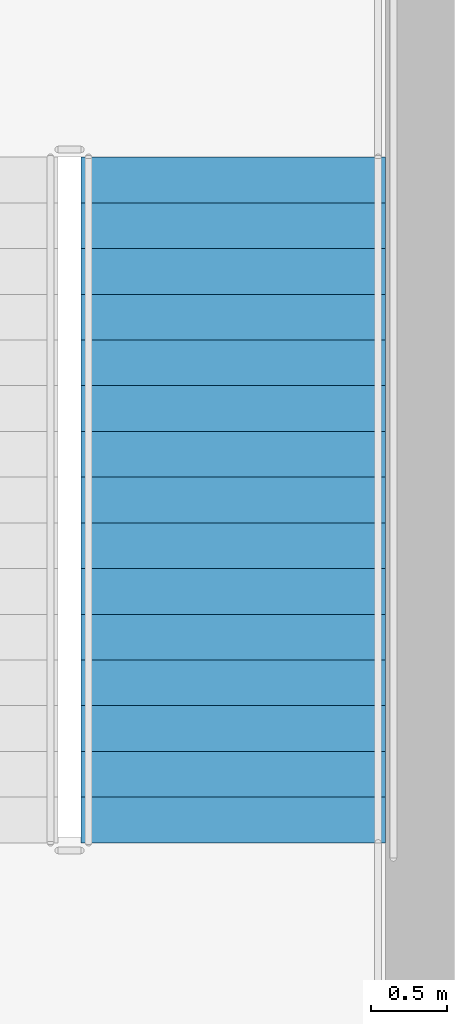
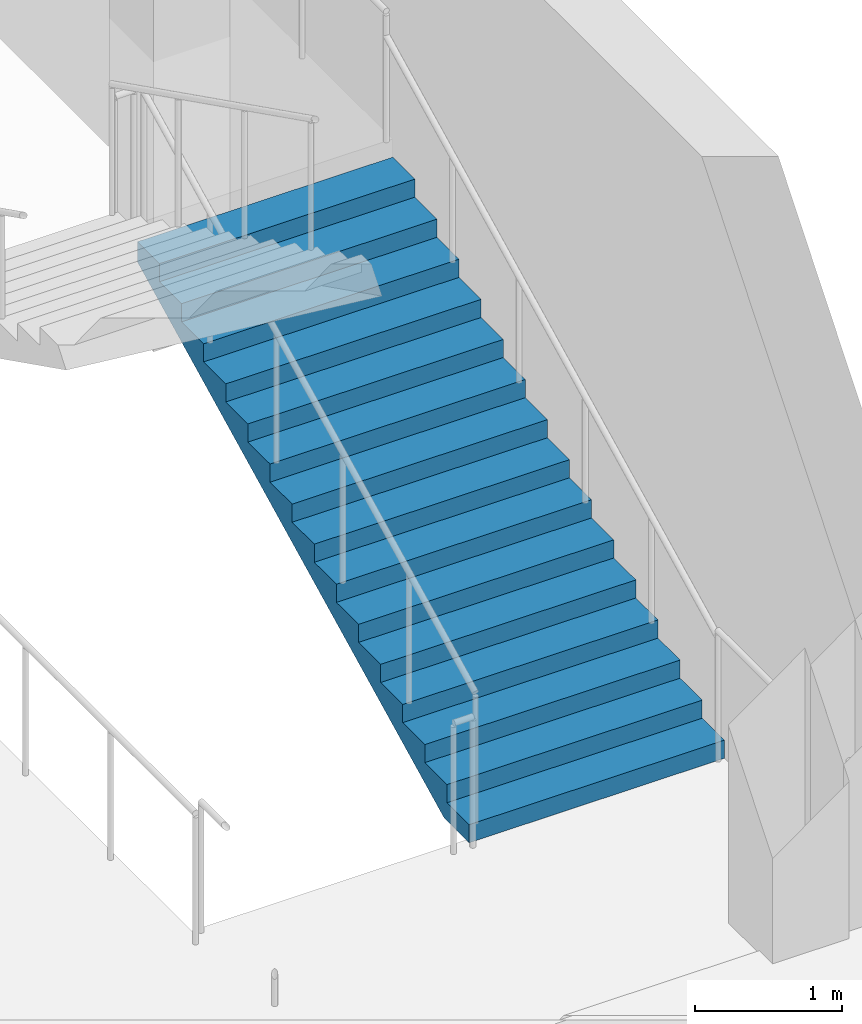
# One storey, part 51 of 91: 1 stair flight, 1 element without a shape of its own.
"""IFC4 building model written with IfcOpenShell, lengths in metres."""

import ifcopenshell
import ifcopenshell.guid

model = None  # the IFC model being written
_history = None  # IfcOwnerHistory: only IFC2X3 demands one
_inside = {}  # id of a spatial element -> (the spatial element, [elements in it])
_under = {}  # id of a project, library or spatial element -> (it, [spatial elements below it])
_declared = {}  # id of a project -> (the project, [libraries it declares])
_typed = {}  # id of a type object -> (the type object, [elements of that type])
_made_of = {}  # id of a material, layer set ... -> (it, [elements and type objects made of it])


def new_model(schema):
    """Start an empty IFC model of exactly this schema.

    Asked for "IFC4X3", IfcOpenShell would pick the latest addendum, in which some entities
    have other attributes; the version numbers below select the first issue.
    IFC2X3 requires an IfcOwnerHistory on every rooted entity: one is made here for all.
    """
    global model, _history
    if schema == "IFC4X3":
        model = ifcopenshell.file(schema_version=(4, 3, 0, 0))
    else:
        model = ifcopenshell.file(schema=schema)
    _inside.clear()
    _under.clear()
    _declared.clear()
    _typed.clear()
    _made_of.clear()
    _history = None
    if model.schema == "IFC2X3":
        org = make("IfcOrganization", Name="unknown")
        user = make(
            "IfcPersonAndOrganization",
            ThePerson=make("IfcPerson", FamilyName="unknown"),
            TheOrganization=org,
        )
        app = make(
            "IfcApplication",
            ApplicationDeveloper=org,
            Version="unknown",
            ApplicationFullName="unknown",
            ApplicationIdentifier="unknown",
        )
        _history = make(
            "IfcOwnerHistory",
            OwningUser=user,
            OwningApplication=app,
            ChangeAction="ADDED",
            CreationDate=0,
        )
    return model


def make(cls, **values):
    """One entity of the class cls with the attributes given. An attribute that is None is left unset."""
    return model.create_entity(
        cls, **{name: value for name, value in values.items() if value is not None}
    )


def rooted(cls, **values):
    """An entity with a GlobalId (a new one), such as an element, a storey or a relation."""
    return make(cls, GlobalId=ifcopenshell.guid.new(), OwnerHistory=_history, **values)


def si_unit(unit_type, name, prefix=None):
    """IfcSIUnit, for example si_unit("LENGTHUNIT", "METRE", prefix="MILLI")."""
    return make("IfcSIUnit", UnitType=unit_type, Prefix=prefix, Name=name)


def assignment(units):
    """IfcUnitAssignment: the units of a project."""
    return None if units is None else make("IfcUnitAssignment", Units=units)


def point(xyz):
    """IfcCartesianPoint."""
    return None if xyz is None else make("IfcCartesianPoint", Coordinates=xyz)


def direction(xyz):
    """IfcDirection."""
    return None if xyz is None else make("IfcDirection", DirectionRatios=xyz)


def frame(location, z_axis=None, x_axis=None):
    """IfcAxis2Placement3D, a coordinate frame: its origin and axes. An axis left out is left unset."""
    return make(
        "IfcAxis2Placement3D",
        Location=point(location),
        Axis=direction(z_axis),
        RefDirection=direction(x_axis),
    )


def origin():
    """The frame at (0, 0, 0) with its axes left unset."""
    return frame((0.0, 0.0, 0.0))


def place(relative_to, where):
    """IfcLocalPlacement: puts the frame where relative to a parent placement (None: the world)."""
    return make(
        "IfcLocalPlacement", PlacementRelTo=relative_to, RelativePlacement=where
    )


def context(
    kind, dimensions, precision=None, world=None, true_north=None, identifier=None
):
    """IfcGeometricRepresentationContext, for example the 3D "Model" context."""
    return make(
        "IfcGeometricRepresentationContext",
        ContextIdentifier=identifier,
        ContextType=kind,
        CoordinateSpaceDimension=dimensions,
        Precision=precision,
        WorldCoordinateSystem=world,
        TrueNorth=true_north,
    )


def subcontext(parent, identifier, kind, view, scale=None):
    """IfcGeometricRepresentationSubContext, for example "Body" below "Model"."""
    return make(
        "IfcGeometricRepresentationSubContext",
        ContextIdentifier=identifier,
        ContextType=kind,
        ParentContext=parent,
        TargetScale=scale,
        TargetView=view,
    )


def project(units=None, contexts=None):
    """IfcProject with its units and contexts."""
    return rooted(
        "IfcProject",
        Name="project",
        RepresentationContexts=contexts,
        UnitsInContext=assignment(units),
    )


def spatial(cls, under=None, at=None, **own):
    """A site, building, storey or space (cls), placed at a placement, below another one or the project."""
    s = rooted(cls, ObjectPlacement=at, **own)
    if under is not None:
        _under.setdefault(under.id(), (under, []))[1].append(s)
    return s


def faces_of(points, faces, orient=None, outer=None):
    """IfcFace entities. A face is a list of loops; a loop is a list of indices into points, from 0.

    orient and outer hold one flag for each loop. By default every Orientation is true, the
    first loop of a face is its IfcFaceOuterBound and the others are IfcFaceBound.
    """
    made = []
    for i, loops in enumerate(faces):
        bounds = []
        for j, loop in enumerate(loops):
            is_outer = j == 0 if outer is None else outer[i][j]
            bounds.append(
                make(
                    "IfcFaceOuterBound" if is_outer else "IfcFaceBound",
                    Bound=make("IfcPolyLoop", Polygon=[points[k] for k in loop]),
                    Orientation=True if orient is None else orient[i][j],
                )
            )
        made.append(make("IfcFace", Bounds=bounds))
    return made


def faceted_brep(points, faces, orient=None, outer=None, voids=None):
    """IfcFacetedBrep: a solid bounded by flat faces; with voids (closed shells), ...WithVoids."""
    shared = [point(p) for p in points]
    hull = make("IfcClosedShell", CfsFaces=faces_of(shared, faces, orient, outer))
    if voids is None:
        return make("IfcFacetedBrep", Outer=hull)
    return make(
        "IfcFacetedBrepWithVoids",
        Outer=hull,
        Voids=[
            make(cls, CfsFaces=faces_of(shared, fs, o, b)) for cls, fs, o, b in voids
        ],
    )


def shape(context_of_items, identifier, shape_type, items):
    """IfcShapeRepresentation: the items that make up one representation, for example the "Body"."""
    return make(
        "IfcShapeRepresentation",
        ContextOfItems=context_of_items,
        RepresentationIdentifier=identifier,
        RepresentationType=shape_type,
        Items=items,
    )


def material(Name=None, Category=None):
    """IfcMaterial."""
    return make("IfcMaterial", Name=Name, Category=Category)


def made_of(thing, what):
    """Note that an element or type object is made of a material, layer set ...; save() writes the relation."""
    if what is not None:
        _made_of.setdefault(what.id(), (what, []))[1].append(thing)
    return thing


def type_object(cls, material=None, **own):
    """A type object (cls), such as IfcWallType, which elements share."""
    return made_of(rooted(cls, **own), material)


def element(
    cls,
    number,
    at=None,
    inside=None,
    cuts=None,
    type_object=None,
    material=None,
    context=None,
    identifier="Body",
    shape_type=None,
    held_by="IfcProductDefinitionShape",
    body=None,
    shapes=None,
    **own,
):
    """One element of the class cls, such as IfcWall. Its Tag is "e" and its number.

    at: its placement. inside: the storey or other place that contains it. cuts: it is an
    opening in that element (IfcRelVoidsElement). A single representation is given by context,
    identifier, shape_type and body (its items); several are given by shapes. held_by: the class
    of the entity that holds the representations. save() writes the other relations.
    """
    e = rooted(cls, Tag="e%d" % number, ObjectPlacement=at, **own)
    if body is not None:
        shapes = [shape(context, identifier, shape_type, body)]
    if shapes is not None:
        e.Representation = make(held_by, Representations=shapes)
    if inside is not None:
        _inside.setdefault(inside.id(), (inside, []))[1].append(e)
    if cuts is not None:
        rooted(
            "IfcRelVoidsElement", RelatingBuildingElement=cuts, RelatedOpeningElement=e
        )
    if type_object is not None:
        _typed.setdefault(type_object.id(), (type_object, []))[1].append(e)
    return made_of(e, material)


def aggregate(whole, parts):
    """IfcRelAggregates: a whole, such as a stair, and the parts it consists of."""
    return rooted("IfcRelAggregates", RelatingObject=whole, RelatedObjects=parts)


def save(model, path):
    """Write the relations noted so far, then the file.

    IfcRelAggregates (storeys below a building ...), IfcRelContainedInSpatialStructure (elements
    in a storey), IfcRelDefinesByType, IfcRelAssociatesMaterial and IfcRelDeclares: one each for
    every whole, place, type object, material and project.
    """
    for whole, parts in _under.values():
        aggregate(whole, parts)
    for where, things in _inside.values():
        rooted(
            "IfcRelContainedInSpatialStructure",
            RelatedElements=things,
            RelatingStructure=where,
        )
    for kind, things in _typed.values():
        rooted("IfcRelDefinesByType", RelatedObjects=things, RelatingType=kind)
    for what, things in _made_of.values():
        rooted("IfcRelAssociatesMaterial", RelatedObjects=things, RelatingMaterial=what)
    for by, libraries in _declared.values():
        rooted("IfcRelDeclares", RelatingContext=by, RelatedDefinitions=libraries)
    model.write(path)


model = new_model("IFC4")

# Units and contexts
model_context = context("Model", 3, precision=1e-05, world=origin(), true_north=direction((0.0, 1.0)))
body_context = subcontext(model_context, "Body", "Model", "MODEL_VIEW")
ifc_project = project(units=[si_unit("LENGTHUNIT", "METRE"), si_unit("AREAUNIT", "SQUARE_METRE"), si_unit("VOLUMEUNIT", "CUBIC_METRE"), si_unit("PLANEANGLEUNIT", "RADIAN"), si_unit("MASSUNIT", "GRAM", prefix="KILO")], contexts=[model_context])

# Site, building, storey
site_placement = place(None, origin())
site = spatial("IfcSite", under=ifc_project, at=site_placement, CompositionType="ELEMENT")
building_placement = place(site_placement, origin())
building = spatial("IfcBuilding", under=site, at=building_placement, Name="Kiln Court Media Centre", CompositionType="ELEMENT")
storey_placement = place(building_placement, frame((0.0, 0.0, 5.39990234375)))
storey = spatial("IfcBuildingStorey", under=building, at=storey_placement, Name="L01", CompositionType="ELEMENT", Elevation=5.39990234375)

# Stair, stair flight
ifc_material_1 = material(Name="Concrete C40/50", Category="concrete")
stair_type = type_object("IfcStairType", Name="Concrete C40/50 dog-leg stair 2000 wide, 150 riser", PredefinedType="HALF_TURN_STAIR", material=ifc_material_1)
stair_placement = place(storey_placement, origin())
stair = element("IfcStair", 1, at=stair_placement, inside=storey, type_object=stair_type, Name="ST-F1 L01", PredefinedType="HALF_TURN_STAIR")
ifc_material_2 = material(Name="Concrete C40/50", Category="concrete")
stair_flight_type = type_object("IfcStairFlightType", Name="Concrete C40/50 stair flight 2000 wide, 150 riser, 300 going", PredefinedType="STRAIGHT", material=ifc_material_2)
stair_flight_placement = place(storey_placement, frame((57.800048828125, 35.60009765625, 0.0), z_axis=(0.0, 0.0, 1.0), x_axis=(0.0, 1.0, 0.0)))
stair_flight = element("IfcStairFlight", 2, at=stair_flight_placement, type_object=stair_flight_type, Name="L01-ST-5017 flight 5034", NumberOfRisers=16, NumberOfTreads=15, PredefinedType="STRAIGHT", RiserHeight=0.15, TreadLength=0.3, context=body_context, shape_type="Brep", body=[
    faceted_brep([(0.335205078125, -1.0, 0.0), (4.5, -1.0, 2.08251953125), (4.5, -1.0, 2.25), (4.199951171875, -1.0, 2.25), (4.199951171875, -1.0, 2.10009765625), (3.89990234375, -1.0, 2.10009765625), (3.89990234375, -1.0, 1.949951171875), (3.60009765625, -1.0, 1.949951171875), (3.60009765625, -1.0, 1.800048828125), (3.300048828125, -1.0, 1.800048828125), (3.300048828125, -1.0, 1.64990234375), (3.0, -1.0, 1.64990234375), (3.0, -1.0, 1.5), (2.699951171875, -1.0, 1.5), (2.699951171875, -1.0, 1.35009765625), (2.39990234375, -1.0, 1.35009765625), (2.39990234375, -1.0, 1.199951171875), (2.10009765625, -1.0, 1.199951171875), (2.10009765625, -1.0, 1.050048828125), (1.800048828125, -1.0, 1.050048828125), (1.800048828125, -1.0, 0.89990234375), (1.5, -1.0, 0.89990234375), (1.5, -1.0, 0.75), (1.199951171875, -1.0, 0.75), (1.199951171875, -1.0, 0.60009765625), (0.89990234375, -1.0, 0.60009765625), (0.89990234375, -1.0, 0.449951171875), (0.60009765625, -1.0, 0.449951171875), (0.60009765625, -1.0, 0.300048828125), (0.300048828125, -1.0, 0.300048828125), (0.300048828125, -1.0, 0.14990234375), (0.0, -1.0, 0.14990234375), (0.0, -1.0, 0.0), (0.0, 1.0, 0.0), (0.0, 1.0, 0.14990234375), (0.300048828125, 1.0, 0.14990234375), (0.300048828125, 1.0, 0.300048828125), (0.60009765625, 1.0, 0.300048828125), (0.60009765625, 1.0, 0.449951171875), (0.89990234375, 1.0, 0.449951171875), (0.89990234375, 1.0, 0.60009765625), (1.199951171875, 1.0, 0.60009765625), (1.199951171875, 1.0, 0.75), (1.5, 1.0, 0.75), (1.5, 1.0, 0.89990234375), (1.800048828125, 1.0, 0.89990234375), (1.800048828125, 1.0, 1.050048828125), (2.10009765625, 1.0, 1.050048828125), (2.10009765625, 1.0, 1.199951171875), (2.39990234375, 1.0, 1.199951171875), (2.39990234375, 1.0, 1.35009765625), (2.699951171875, 1.0, 1.35009765625), (2.699951171875, 1.0, 1.5), (3.0, 1.0, 1.5), (3.0, 1.0, 1.64990234375), (3.300048828125, 1.0, 1.64990234375), (3.300048828125, 1.0, 1.800048828125), (3.60009765625, 1.0, 1.800048828125), (3.60009765625, 1.0, 1.949951171875), (3.89990234375, 1.0, 1.949951171875), (3.89990234375, 1.0, 2.10009765625), (4.199951171875, 1.0, 2.10009765625), (4.199951171875, 1.0, 2.25), (4.5, 1.0, 2.25), (4.5, 1.0, 2.08251953125), (0.335205078125, 1.0, 0.0), (4.5, 0.10009765625, 2.08251953125), (0.335205078125, 0.10009765625, 0.0), (4.5, 0.080078125, 2.08251953125), (0.335205078125, 0.080078125, 0.0), (4.5, 0.06005859375, 2.08251953125), (0.335205078125, 0.06005859375, 0.0), (4.5, 0.0400390625, 2.08251953125), (0.335205078125, 0.0400390625, 0.0), (4.5, 0.02001953125, 2.08251953125), (0.335205078125, 0.02001953125, 0.0), (4.5, 0.0, 2.08251953125), (0.335205078125, 0.0, 0.0), (4.5, -0.02001953125, 2.08251953125), (0.335205078125, -0.02001953125, 0.0), (4.5, -0.0400390625, 2.08251953125), (0.335205078125, -0.0400390625, 0.0), (4.5, -0.06005859375, 2.08251953125), (0.335205078125, -0.06005859375, 0.0), (4.5, -0.080078125, 2.08251953125), (0.335205078125, -0.080078125, 0.0), (4.5, -0.10009765625, 2.08251953125), (0.335205078125, -0.10009765625, 0.0), (4.5, 0.10009765625, 2.25), (4.5, 0.080078125, 2.25), (4.5, 0.06005859375, 2.25), (4.5, 0.0400390625, 2.25), (4.5, 0.02001953125, 2.25), (4.5, 0.0, 2.25), (4.5, -0.02001953125, 2.25), (4.5, -0.0400390625, 2.25), (4.5, -0.06005859375, 2.25), (4.5, -0.080078125, 2.25), (4.5, -0.10009765625, 2.25), (4.199951171875, 0.10009765625, 2.25), (4.199951171875, 0.080078125, 2.25), (4.199951171875, 0.06005859375, 2.25), (4.199951171875, 0.0400390625, 2.25), (4.199951171875, 0.02001953125, 2.25), (4.199951171875, 0.0, 2.25), (4.199951171875, -0.02001953125, 2.25), (4.199951171875, -0.0400390625, 2.25), (4.199951171875, -0.06005859375, 2.25), (4.199951171875, -0.080078125, 2.25), (4.199951171875, -0.10009765625, 2.25), (4.199951171875, 0.10009765625, 2.10009765625), (4.199951171875, 0.080078125, 2.10009765625), (4.199951171875, 0.06005859375, 2.10009765625), (4.199951171875, 0.0400390625, 2.10009765625), (4.199951171875, 0.02001953125, 2.10009765625), (4.199951171875, 0.0, 2.10009765625), (4.199951171875, -0.02001953125, 2.10009765625), (4.199951171875, -0.0400390625, 2.10009765625), (4.199951171875, -0.06005859375, 2.10009765625), (4.199951171875, -0.080078125, 2.10009765625), (4.199951171875, -0.10009765625, 2.10009765625), (3.89990234375, 0.10009765625, 2.10009765625), (3.89990234375, 0.080078125, 2.10009765625), (3.89990234375, 0.06005859375, 2.10009765625), (3.89990234375, 0.0400390625, 2.10009765625), (3.89990234375, 0.02001953125, 2.10009765625), (3.89990234375, 0.0, 2.10009765625), (3.89990234375, -0.02001953125, 2.10009765625), (3.89990234375, -0.0400390625, 2.10009765625), (3.89990234375, -0.06005859375, 2.10009765625), (3.89990234375, -0.080078125, 2.10009765625), (3.89990234375, -0.10009765625, 2.10009765625), (3.89990234375, 0.10009765625, 1.949951171875), (3.89990234375, 0.080078125, 1.949951171875), (3.89990234375, 0.06005859375, 1.949951171875), (3.89990234375, 0.0400390625, 1.949951171875), (3.89990234375, 0.02001953125, 1.949951171875), (3.89990234375, 0.0, 1.949951171875), (3.89990234375, -0.02001953125, 1.949951171875), (3.89990234375, -0.0400390625, 1.949951171875), (3.89990234375, -0.06005859375, 1.949951171875), (3.89990234375, -0.080078125, 1.949951171875), (3.89990234375, -0.10009765625, 1.949951171875), (3.60009765625, 0.10009765625, 1.949951171875), (3.60009765625, 0.080078125, 1.949951171875), (3.60009765625, 0.06005859375, 1.949951171875), (3.60009765625, 0.0400390625, 1.949951171875), (3.60009765625, 0.02001953125, 1.949951171875), (3.60009765625, 0.0, 1.949951171875), (3.60009765625, -0.02001953125, 1.949951171875), (3.60009765625, -0.0400390625, 1.949951171875), (3.60009765625, -0.06005859375, 1.949951171875), (3.60009765625, -0.080078125, 1.949951171875), (3.60009765625, -0.10009765625, 1.949951171875), (3.60009765625, 0.10009765625, 1.800048828125), (3.60009765625, 0.080078125, 1.800048828125), (3.60009765625, 0.06005859375, 1.800048828125), (3.60009765625, 0.0400390625, 1.800048828125), (3.60009765625, 0.02001953125, 1.800048828125), (3.60009765625, 0.0, 1.800048828125), (3.60009765625, -0.02001953125, 1.800048828125), (3.60009765625, -0.0400390625, 1.800048828125), (3.60009765625, -0.06005859375, 1.800048828125), (3.60009765625, -0.080078125, 1.800048828125), (3.60009765625, -0.10009765625, 1.800048828125), (3.300048828125, 0.10009765625, 1.800048828125), (3.300048828125, 0.080078125, 1.800048828125), (3.300048828125, 0.06005859375, 1.800048828125), (3.300048828125, 0.0400390625, 1.800048828125), (3.300048828125, 0.02001953125, 1.800048828125), (3.300048828125, 0.0, 1.800048828125), (3.300048828125, -0.02001953125, 1.800048828125), (3.300048828125, -0.0400390625, 1.800048828125), (3.300048828125, -0.06005859375, 1.800048828125), (3.300048828125, -0.080078125, 1.800048828125), (3.300048828125, -0.10009765625, 1.800048828125), (3.300048828125, 0.10009765625, 1.64990234375), (3.300048828125, 0.080078125, 1.64990234375), (3.300048828125, 0.06005859375, 1.64990234375), (3.300048828125, 0.0400390625, 1.64990234375), (3.300048828125, 0.02001953125, 1.64990234375), (3.300048828125, 0.0, 1.64990234375), (3.300048828125, -0.02001953125, 1.64990234375), (3.300048828125, -0.0400390625, 1.64990234375), (3.300048828125, -0.06005859375, 1.64990234375), (3.300048828125, -0.080078125, 1.64990234375), (3.300048828125, -0.10009765625, 1.64990234375), (3.0, 0.10009765625, 1.64990234375), (3.0, 0.080078125, 1.64990234375), (3.0, 0.06005859375, 1.64990234375), (3.0, 0.0400390625, 1.64990234375), (3.0, 0.02001953125, 1.64990234375), (3.0, 0.0, 1.64990234375), (3.0, -0.02001953125, 1.64990234375), (3.0, -0.0400390625, 1.64990234375), (3.0, -0.06005859375, 1.64990234375), (3.0, -0.080078125, 1.64990234375), (3.0, -0.10009765625, 1.64990234375), (3.0, 0.10009765625, 1.5), (3.0, 0.080078125, 1.5), (3.0, 0.06005859375, 1.5), (3.0, 0.0400390625, 1.5), (3.0, 0.02001953125, 1.5), (3.0, 0.0, 1.5), (3.0, -0.02001953125, 1.5), (3.0, -0.0400390625, 1.5), (3.0, -0.06005859375, 1.5), (3.0, -0.080078125, 1.5), (3.0, -0.10009765625, 1.5), (2.699951171875, 0.10009765625, 1.5), (2.699951171875, 0.080078125, 1.5), (2.699951171875, 0.06005859375, 1.5), (2.699951171875, 0.0400390625, 1.5), (2.699951171875, 0.02001953125, 1.5), (2.699951171875, 0.0, 1.5), (2.699951171875, -0.02001953125, 1.5), (2.699951171875, -0.0400390625, 1.5), (2.699951171875, -0.06005859375, 1.5), (2.699951171875, -0.080078125, 1.5), (2.699951171875, -0.10009765625, 1.5), (2.699951171875, 0.10009765625, 1.35009765625), (2.699951171875, 0.080078125, 1.35009765625), (2.699951171875, 0.06005859375, 1.35009765625), (2.699951171875, 0.0400390625, 1.35009765625), (2.699951171875, 0.02001953125, 1.35009765625), (2.699951171875, 0.0, 1.35009765625), (2.699951171875, -0.02001953125, 1.35009765625), (2.699951171875, -0.0400390625, 1.35009765625), (2.699951171875, -0.06005859375, 1.35009765625), (2.699951171875, -0.080078125, 1.35009765625), (2.699951171875, -0.10009765625, 1.35009765625), (2.39990234375, 0.10009765625, 1.35009765625), (2.39990234375, 0.080078125, 1.35009765625), (2.39990234375, 0.06005859375, 1.35009765625), (2.39990234375, 0.0400390625, 1.35009765625), (2.39990234375, 0.02001953125, 1.35009765625), (2.39990234375, 0.0, 1.35009765625), (2.39990234375, -0.02001953125, 1.35009765625), (2.39990234375, -0.0400390625, 1.35009765625), (2.39990234375, -0.06005859375, 1.35009765625), (2.39990234375, -0.080078125, 1.35009765625), (2.39990234375, -0.10009765625, 1.35009765625), (2.39990234375, 0.10009765625, 1.199951171875), (2.39990234375, 0.080078125, 1.199951171875), (2.39990234375, 0.06005859375, 1.199951171875), (2.39990234375, 0.0400390625, 1.199951171875), (2.39990234375, 0.02001953125, 1.199951171875), (2.39990234375, 0.0, 1.199951171875), (2.39990234375, -0.02001953125, 1.199951171875), (2.39990234375, -0.0400390625, 1.199951171875), (2.39990234375, -0.06005859375, 1.199951171875), (2.39990234375, -0.080078125, 1.199951171875), (2.39990234375, -0.10009765625, 1.199951171875), (2.10009765625, 0.10009765625, 1.199951171875), (2.10009765625, 0.080078125, 1.199951171875), (2.10009765625, 0.06005859375, 1.199951171875), (2.10009765625, 0.0400390625, 1.199951171875), (2.10009765625, 0.02001953125, 1.199951171875), (2.10009765625, 0.0, 1.199951171875), (2.10009765625, -0.02001953125, 1.199951171875), (2.10009765625, -0.0400390625, 1.199951171875), (2.10009765625, -0.06005859375, 1.199951171875), (2.10009765625, -0.080078125, 1.199951171875), (2.10009765625, -0.10009765625, 1.199951171875), (2.10009765625, 0.10009765625, 1.050048828125), (2.10009765625, 0.080078125, 1.050048828125), (2.10009765625, 0.06005859375, 1.050048828125), (2.10009765625, 0.0400390625, 1.050048828125), (2.10009765625, 0.02001953125, 1.050048828125), (2.10009765625, 0.0, 1.050048828125), (2.10009765625, -0.02001953125, 1.050048828125), (2.10009765625, -0.0400390625, 1.050048828125), (2.10009765625, -0.06005859375, 1.050048828125), (2.10009765625, -0.080078125, 1.050048828125), (2.10009765625, -0.10009765625, 1.050048828125), (1.800048828125, 0.10009765625, 1.050048828125), (1.800048828125, 0.080078125, 1.050048828125), (1.800048828125, 0.06005859375, 1.050048828125), (1.800048828125, 0.0400390625, 1.050048828125), (1.800048828125, 0.02001953125, 1.050048828125), (1.800048828125, 0.0, 1.050048828125), (1.800048828125, -0.02001953125, 1.050048828125), (1.800048828125, -0.0400390625, 1.050048828125), (1.800048828125, -0.06005859375, 1.050048828125), (1.800048828125, -0.080078125, 1.050048828125), (1.800048828125, -0.10009765625, 1.050048828125), (1.800048828125, 0.10009765625, 0.89990234375), (1.800048828125, 0.080078125, 0.89990234375), (1.800048828125, 0.06005859375, 0.89990234375), (1.800048828125, 0.0400390625, 0.89990234375), (1.800048828125, 0.02001953125, 0.89990234375), (1.800048828125, 0.0, 0.89990234375), (1.800048828125, -0.02001953125, 0.89990234375), (1.800048828125, -0.0400390625, 0.89990234375), (1.800048828125, -0.06005859375, 0.89990234375), (1.800048828125, -0.080078125, 0.89990234375), (1.800048828125, -0.10009765625, 0.89990234375), (1.5, 0.10009765625, 0.89990234375), (1.5, 0.080078125, 0.89990234375), (1.5, 0.06005859375, 0.89990234375), (1.5, 0.0400390625, 0.89990234375), (1.5, 0.02001953125, 0.89990234375), (1.5, 0.0, 0.89990234375), (1.5, -0.02001953125, 0.89990234375), (1.5, -0.0400390625, 0.89990234375), (1.5, -0.06005859375, 0.89990234375), (1.5, -0.080078125, 0.89990234375), (1.5, -0.10009765625, 0.89990234375), (1.5, 0.10009765625, 0.75), (1.5, 0.080078125, 0.75), (1.5, 0.06005859375, 0.75), (1.5, 0.0400390625, 0.75), (1.5, 0.02001953125, 0.75), (1.5, 0.0, 0.75), (1.5, -0.02001953125, 0.75), (1.5, -0.0400390625, 0.75), (1.5, -0.06005859375, 0.75), (1.5, -0.080078125, 0.75), (1.5, -0.10009765625, 0.75), (1.199951171875, 0.10009765625, 0.75), (1.199951171875, 0.080078125, 0.75), (1.199951171875, 0.06005859375, 0.75), (1.199951171875, 0.0400390625, 0.75), (1.199951171875, 0.02001953125, 0.75), (1.199951171875, 0.0, 0.75), (1.199951171875, -0.02001953125, 0.75), (1.199951171875, -0.0400390625, 0.75), (1.199951171875, -0.06005859375, 0.75), (1.199951171875, -0.080078125, 0.75), (1.199951171875, -0.10009765625, 0.75), (1.199951171875, 0.10009765625, 0.60009765625), (1.199951171875, 0.080078125, 0.60009765625), (1.199951171875, 0.06005859375, 0.60009765625), (1.199951171875, 0.0400390625, 0.60009765625), (1.199951171875, 0.02001953125, 0.60009765625), (1.199951171875, 0.0, 0.60009765625), (1.199951171875, -0.02001953125, 0.60009765625), (1.199951171875, -0.0400390625, 0.60009765625), (1.199951171875, -0.06005859375, 0.60009765625), (1.199951171875, -0.080078125, 0.60009765625), (1.199951171875, -0.10009765625, 0.60009765625), (0.89990234375, 0.10009765625, 0.60009765625), (0.89990234375, 0.080078125, 0.60009765625), (0.89990234375, 0.06005859375, 0.60009765625), (0.89990234375, 0.0400390625, 0.60009765625), (0.89990234375, 0.02001953125, 0.60009765625), (0.89990234375, 0.0, 0.60009765625), (0.89990234375, -0.02001953125, 0.60009765625), (0.89990234375, -0.0400390625, 0.60009765625), (0.89990234375, -0.06005859375, 0.60009765625), (0.89990234375, -0.080078125, 0.60009765625), (0.89990234375, -0.10009765625, 0.60009765625), (0.89990234375, 0.10009765625, 0.449951171875), (0.89990234375, 0.080078125, 0.449951171875), (0.89990234375, 0.06005859375, 0.449951171875), (0.89990234375, 0.0400390625, 0.449951171875), (0.89990234375, 0.02001953125, 0.449951171875), (0.89990234375, 0.0, 0.449951171875), (0.89990234375, -0.02001953125, 0.449951171875), (0.89990234375, -0.0400390625, 0.449951171875), (0.89990234375, -0.06005859375, 0.449951171875), (0.89990234375, -0.080078125, 0.449951171875), (0.89990234375, -0.10009765625, 0.449951171875), (0.60009765625, 0.10009765625, 0.449951171875), (0.60009765625, 0.080078125, 0.449951171875), (0.60009765625, 0.06005859375, 0.449951171875), (0.60009765625, 0.0400390625, 0.449951171875), (0.60009765625, 0.02001953125, 0.449951171875), (0.60009765625, 0.0, 0.449951171875), (0.60009765625, -0.02001953125, 0.449951171875), (0.60009765625, -0.0400390625, 0.449951171875), (0.60009765625, -0.06005859375, 0.449951171875), (0.60009765625, -0.080078125, 0.449951171875), (0.60009765625, -0.10009765625, 0.449951171875), (0.60009765625, 0.10009765625, 0.300048828125), (0.60009765625, 0.080078125, 0.300048828125), (0.60009765625, 0.06005859375, 0.300048828125), (0.60009765625, 0.0400390625, 0.300048828125), (0.60009765625, 0.02001953125, 0.300048828125), (0.60009765625, 0.0, 0.300048828125), (0.60009765625, -0.02001953125, 0.300048828125), (0.60009765625, -0.0400390625, 0.300048828125), (0.60009765625, -0.06005859375, 0.300048828125), (0.60009765625, -0.080078125, 0.300048828125), (0.60009765625, -0.10009765625, 0.300048828125), (0.300048828125, 0.10009765625, 0.300048828125), (0.300048828125, 0.080078125, 0.300048828125), (0.300048828125, 0.06005859375, 0.300048828125), (0.300048828125, 0.0400390625, 0.300048828125), (0.300048828125, 0.02001953125, 0.300048828125), (0.300048828125, 0.0, 0.300048828125), (0.300048828125, -0.02001953125, 0.300048828125), (0.300048828125, -0.0400390625, 0.300048828125), (0.300048828125, -0.06005859375, 0.300048828125), (0.300048828125, -0.080078125, 0.300048828125), (0.300048828125, -0.10009765625, 0.300048828125), (0.300048828125, 0.10009765625, 0.14990234375), (0.300048828125, 0.080078125, 0.14990234375), (0.300048828125, 0.06005859375, 0.14990234375), (0.300048828125, 0.0400390625, 0.14990234375), (0.300048828125, 0.02001953125, 0.14990234375), (0.300048828125, 0.0, 0.14990234375), (0.300048828125, -0.02001953125, 0.14990234375), (0.300048828125, -0.0400390625, 0.14990234375), (0.300048828125, -0.06005859375, 0.14990234375), (0.300048828125, -0.080078125, 0.14990234375), (0.300048828125, -0.10009765625, 0.14990234375), (0.0, 0.10009765625, 0.14990234375), (0.0, 0.080078125, 0.14990234375), (0.0, 0.06005859375, 0.14990234375), (0.0, 0.0400390625, 0.14990234375), (0.0, 0.02001953125, 0.14990234375), (0.0, 0.0, 0.14990234375), (0.0, -0.02001953125, 0.14990234375), (0.0, -0.0400390625, 0.14990234375), (0.0, -0.06005859375, 0.14990234375), (0.0, -0.080078125, 0.14990234375), (0.0, -0.10009765625, 0.14990234375), (0.0, 0.10009765625, 0.0), (0.0, 0.080078125, 0.0), (0.0, 0.06005859375, 0.0), (0.0, 0.0400390625, 0.0), (0.0, 0.02001953125, 0.0), (0.0, 0.0, 0.0), (0.0, -0.02001953125, 0.0), (0.0, -0.0400390625, 0.0), (0.0, -0.06005859375, 0.0), (0.0, -0.080078125, 0.0), (0.0, -0.10009765625, 0.0)], [[[0, 1, 2, 3, 4, 5, 6, 7, 8, 9, 10, 11, 12, 13, 14, 15, 16, 17, 18, 19, 20, 21, 22, 23, 24, 25, 26, 27, 28, 29, 30, 31, 32]], [[33, 34, 35, 36, 37, 38, 39, 40, 41, 42, 43, 44, 45, 46, 47, 48, 49, 50, 51, 52, 53, 54, 55, 56, 57, 58, 59, 60, 61, 62, 63, 64, 65]], [[65, 64, 66, 67]], [[67, 66, 68, 69]], [[69, 68, 70, 71]], [[71, 70, 72, 73]], [[73, 72, 74, 75]], [[75, 74, 76, 77]], [[77, 76, 78, 79]], [[79, 78, 80, 81]], [[81, 80, 82, 83]], [[83, 82, 84, 85]], [[85, 84, 86, 87]], [[87, 86, 1, 0]], [[64, 63, 88, 66]], [[66, 88, 89, 68]], [[68, 89, 90, 70]], [[70, 90, 91, 72]], [[72, 91, 92, 74]], [[74, 92, 93, 76]], [[76, 93, 94, 78]], [[78, 94, 95, 80]], [[80, 95, 96, 82]], [[82, 96, 97, 84]], [[84, 97, 98, 86]], [[86, 98, 2, 1]], [[63, 62, 99, 88]], [[88, 99, 100, 89]], [[89, 100, 101, 90]], [[90, 101, 102, 91]], [[91, 102, 103, 92]], [[92, 103, 104, 93]], [[93, 104, 105, 94]], [[94, 105, 106, 95]], [[95, 106, 107, 96]], [[96, 107, 108, 97]], [[97, 108, 109, 98]], [[98, 109, 3, 2]], [[62, 61, 110, 99]], [[99, 110, 111, 100]], [[100, 111, 112, 101]], [[101, 112, 113, 102]], [[102, 113, 114, 103]], [[103, 114, 115, 104]], [[104, 115, 116, 105]], [[105, 116, 117, 106]], [[106, 117, 118, 107]], [[107, 118, 119, 108]], [[108, 119, 120, 109]], [[109, 120, 4, 3]], [[61, 60, 121, 110]], [[110, 121, 122, 111]], [[111, 122, 123, 112]], [[112, 123, 124, 113]], [[113, 124, 125, 114]], [[114, 125, 126, 115]], [[115, 126, 127, 116]], [[116, 127, 128, 117]], [[117, 128, 129, 118]], [[118, 129, 130, 119]], [[119, 130, 131, 120]], [[120, 131, 5, 4]], [[60, 59, 132, 121]], [[121, 132, 133, 122]], [[122, 133, 134, 123]], [[123, 134, 135, 124]], [[124, 135, 136, 125]], [[125, 136, 137, 126]], [[126, 137, 138, 127]], [[127, 138, 139, 128]], [[128, 139, 140, 129]], [[129, 140, 141, 130]], [[130, 141, 142, 131]], [[131, 142, 6, 5]], [[59, 58, 143, 132]], [[132, 143, 144, 133]], [[133, 144, 145, 134]], [[134, 145, 146, 135]], [[135, 146, 147, 136]], [[136, 147, 148, 137]], [[137, 148, 149, 138]], [[138, 149, 150, 139]], [[139, 150, 151, 140]], [[140, 151, 152, 141]], [[141, 152, 153, 142]], [[142, 153, 7, 6]], [[58, 57, 154, 143]], [[143, 154, 155, 144]], [[144, 155, 156, 145]], [[145, 156, 157, 146]], [[146, 157, 158, 147]], [[147, 158, 159, 148]], [[148, 159, 160, 149]], [[149, 160, 161, 150]], [[150, 161, 162, 151]], [[151, 162, 163, 152]], [[152, 163, 164, 153]], [[153, 164, 8, 7]], [[57, 56, 165, 154]], [[154, 165, 166, 155]], [[155, 166, 167, 156]], [[156, 167, 168, 157]], [[157, 168, 169, 158]], [[158, 169, 170, 159]], [[159, 170, 171, 160]], [[160, 171, 172, 161]], [[161, 172, 173, 162]], [[162, 173, 174, 163]], [[163, 174, 175, 164]], [[164, 175, 9, 8]], [[56, 55, 176, 165]], [[165, 176, 177, 166]], [[166, 177, 178, 167]], [[167, 178, 179, 168]], [[168, 179, 180, 169]], [[169, 180, 181, 170]], [[170, 181, 182, 171]], [[171, 182, 183, 172]], [[172, 183, 184, 173]], [[173, 184, 185, 174]], [[174, 185, 186, 175]], [[175, 186, 10, 9]], [[55, 54, 187, 176]], [[176, 187, 188, 177]], [[177, 188, 189, 178]], [[178, 189, 190, 179]], [[179, 190, 191, 180]], [[180, 191, 192, 181]], [[181, 192, 193, 182]], [[182, 193, 194, 183]], [[183, 194, 195, 184]], [[184, 195, 196, 185]], [[185, 196, 197, 186]], [[186, 197, 11, 10]], [[54, 53, 198, 187]], [[187, 198, 199, 188]], [[188, 199, 200, 189]], [[189, 200, 201, 190]], [[190, 201, 202, 191]], [[191, 202, 203, 192]], [[192, 203, 204, 193]], [[193, 204, 205, 194]], [[194, 205, 206, 195]], [[195, 206, 207, 196]], [[196, 207, 208, 197]], [[197, 208, 12, 11]], [[53, 52, 209, 198]], [[198, 209, 210, 199]], [[199, 210, 211, 200]], [[200, 211, 212, 201]], [[201, 212, 213, 202]], [[202, 213, 214, 203]], [[203, 214, 215, 204]], [[204, 215, 216, 205]], [[205, 216, 217, 206]], [[206, 217, 218, 207]], [[207, 218, 219, 208]], [[208, 219, 13, 12]], [[52, 51, 220, 209]], [[209, 220, 221, 210]], [[210, 221, 222, 211]], [[211, 222, 223, 212]], [[212, 223, 224, 213]], [[213, 224, 225, 214]], [[214, 225, 226, 215]], [[215, 226, 227, 216]], [[216, 227, 228, 217]], [[217, 228, 229, 218]], [[218, 229, 230, 219]], [[219, 230, 14, 13]], [[51, 50, 231, 220]], [[220, 231, 232, 221]], [[221, 232, 233, 222]], [[222, 233, 234, 223]], [[223, 234, 235, 224]], [[224, 235, 236, 225]], [[225, 236, 237, 226]], [[226, 237, 238, 227]], [[227, 238, 239, 228]], [[228, 239, 240, 229]], [[229, 240, 241, 230]], [[230, 241, 15, 14]], [[50, 49, 242, 231]], [[231, 242, 243, 232]], [[232, 243, 244, 233]], [[233, 244, 245, 234]], [[234, 245, 246, 235]], [[235, 246, 247, 236]], [[236, 247, 248, 237]], [[237, 248, 249, 238]], [[238, 249, 250, 239]], [[239, 250, 251, 240]], [[240, 251, 252, 241]], [[241, 252, 16, 15]], [[49, 48, 253, 242]], [[242, 253, 254, 243]], [[243, 254, 255, 244]], [[244, 255, 256, 245]], [[245, 256, 257, 246]], [[246, 257, 258, 247]], [[247, 258, 259, 248]], [[248, 259, 260, 249]], [[249, 260, 261, 250]], [[250, 261, 262, 251]], [[251, 262, 263, 252]], [[252, 263, 17, 16]], [[48, 47, 264, 253]], [[253, 264, 265, 254]], [[254, 265, 266, 255]], [[255, 266, 267, 256]], [[256, 267, 268, 257]], [[257, 268, 269, 258]], [[258, 269, 270, 259]], [[259, 270, 271, 260]], [[260, 271, 272, 261]], [[261, 272, 273, 262]], [[262, 273, 274, 263]], [[263, 274, 18, 17]], [[47, 46, 275, 264]], [[264, 275, 276, 265]], [[265, 276, 277, 266]], [[266, 277, 278, 267]], [[267, 278, 279, 268]], [[268, 279, 280, 269]], [[269, 280, 281, 270]], [[270, 281, 282, 271]], [[271, 282, 283, 272]], [[272, 283, 284, 273]], [[273, 284, 285, 274]], [[274, 285, 19, 18]], [[46, 45, 286, 275]], [[275, 286, 287, 276]], [[276, 287, 288, 277]], [[277, 288, 289, 278]], [[278, 289, 290, 279]], [[279, 290, 291, 280]], [[280, 291, 292, 281]], [[281, 292, 293, 282]], [[282, 293, 294, 283]], [[283, 294, 295, 284]], [[284, 295, 296, 285]], [[285, 296, 20, 19]], [[45, 44, 297, 286]], [[286, 297, 298, 287]], [[287, 298, 299, 288]], [[288, 299, 300, 289]], [[289, 300, 301, 290]], [[290, 301, 302, 291]], [[291, 302, 303, 292]], [[292, 303, 304, 293]], [[293, 304, 305, 294]], [[294, 305, 306, 295]], [[295, 306, 307, 296]], [[296, 307, 21, 20]], [[44, 43, 308, 297]], [[297, 308, 309, 298]], [[298, 309, 310, 299]], [[299, 310, 311, 300]], [[300, 311, 312, 301]], [[301, 312, 313, 302]], [[302, 313, 314, 303]], [[303, 314, 315, 304]], [[304, 315, 316, 305]], [[305, 316, 317, 306]], [[306, 317, 318, 307]], [[307, 318, 22, 21]], [[43, 42, 319, 308]], [[308, 319, 320, 309]], [[309, 320, 321, 310]], [[310, 321, 322, 311]], [[311, 322, 323, 312]], [[312, 323, 324, 313]], [[313, 324, 325, 314]], [[314, 325, 326, 315]], [[315, 326, 327, 316]], [[316, 327, 328, 317]], [[317, 328, 329, 318]], [[318, 329, 23, 22]], [[42, 41, 330, 319]], [[319, 330, 331, 320]], [[320, 331, 332, 321]], [[321, 332, 333, 322]], [[322, 333, 334, 323]], [[323, 334, 335, 324]], [[324, 335, 336, 325]], [[325, 336, 337, 326]], [[326, 337, 338, 327]], [[327, 338, 339, 328]], [[328, 339, 340, 329]], [[329, 340, 24, 23]], [[41, 40, 341, 330]], [[330, 341, 342, 331]], [[331, 342, 343, 332]], [[332, 343, 344, 333]], [[333, 344, 345, 334]], [[334, 345, 346, 335]], [[335, 346, 347, 336]], [[336, 347, 348, 337]], [[337, 348, 349, 338]], [[338, 349, 350, 339]], [[339, 350, 351, 340]], [[340, 351, 25, 24]], [[40, 39, 352, 341]], [[341, 352, 353, 342]], [[342, 353, 354, 343]], [[343, 354, 355, 344]], [[344, 355, 356, 345]], [[345, 356, 357, 346]], [[346, 357, 358, 347]], [[347, 358, 359, 348]], [[348, 359, 360, 349]], [[349, 360, 361, 350]], [[350, 361, 362, 351]], [[351, 362, 26, 25]], [[39, 38, 363, 352]], [[352, 363, 364, 353]], [[353, 364, 365, 354]], [[354, 365, 366, 355]], [[355, 366, 367, 356]], [[356, 367, 368, 357]], [[357, 368, 369, 358]], [[358, 369, 370, 359]], [[359, 370, 371, 360]], [[360, 371, 372, 361]], [[361, 372, 373, 362]], [[362, 373, 27, 26]], [[38, 37, 374, 363]], [[363, 374, 375, 364]], [[364, 375, 376, 365]], [[365, 376, 377, 366]], [[366, 377, 378, 367]], [[367, 378, 379, 368]], [[368, 379, 380, 369]], [[369, 380, 381, 370]], [[370, 381, 382, 371]], [[371, 382, 383, 372]], [[372, 383, 384, 373]], [[373, 384, 28, 27]], [[37, 36, 385, 374]], [[374, 385, 386, 375]], [[375, 386, 387, 376]], [[376, 387, 388, 377]], [[377, 388, 389, 378]], [[378, 389, 390, 379]], [[379, 390, 391, 380]], [[380, 391, 392, 381]], [[381, 392, 393, 382]], [[382, 393, 394, 383]], [[383, 394, 395, 384]], [[384, 395, 29, 28]], [[36, 35, 396, 385]], [[385, 396, 397, 386]], [[386, 397, 398, 387]], [[387, 398, 399, 388]], [[388, 399, 400, 389]], [[389, 400, 401, 390]], [[390, 401, 402, 391]], [[391, 402, 403, 392]], [[392, 403, 404, 393]], [[393, 404, 405, 394]], [[394, 405, 406, 395]], [[395, 406, 30, 29]], [[35, 34, 407, 396]], [[396, 407, 408, 397]], [[397, 408, 409, 398]], [[398, 409, 410, 399]], [[399, 410, 411, 400]], [[400, 411, 412, 401]], [[401, 412, 413, 402]], [[402, 413, 414, 403]], [[403, 414, 415, 404]], [[404, 415, 416, 405]], [[405, 416, 417, 406]], [[406, 417, 31, 30]], [[34, 33, 418, 407]], [[407, 418, 419, 408]], [[408, 419, 420, 409]], [[409, 420, 421, 410]], [[410, 421, 422, 411]], [[411, 422, 423, 412]], [[412, 423, 424, 413]], [[413, 424, 425, 414]], [[414, 425, 426, 415]], [[415, 426, 427, 416]], [[416, 427, 428, 417]], [[417, 428, 32, 31]], [[33, 65, 67, 418]], [[418, 67, 69, 419]], [[419, 69, 71, 420]], [[420, 71, 73, 421]], [[421, 73, 75, 422]], [[422, 75, 77, 423]], [[423, 77, 79, 424]], [[424, 79, 81, 425]], [[425, 81, 83, 426]], [[426, 83, 85, 427]], [[427, 85, 87, 428]], [[428, 87, 0, 32]]]),
])
aggregate(stair, [stair_flight])

save(model, "model.ifc")
